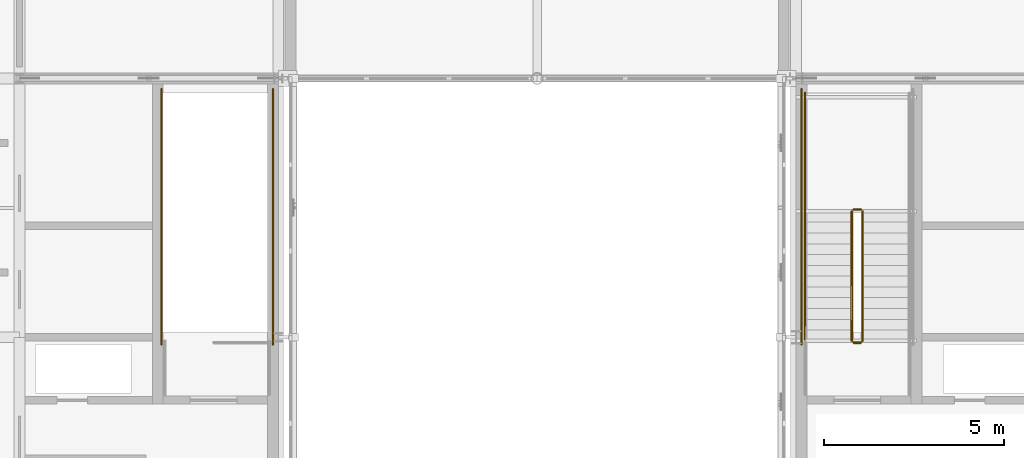
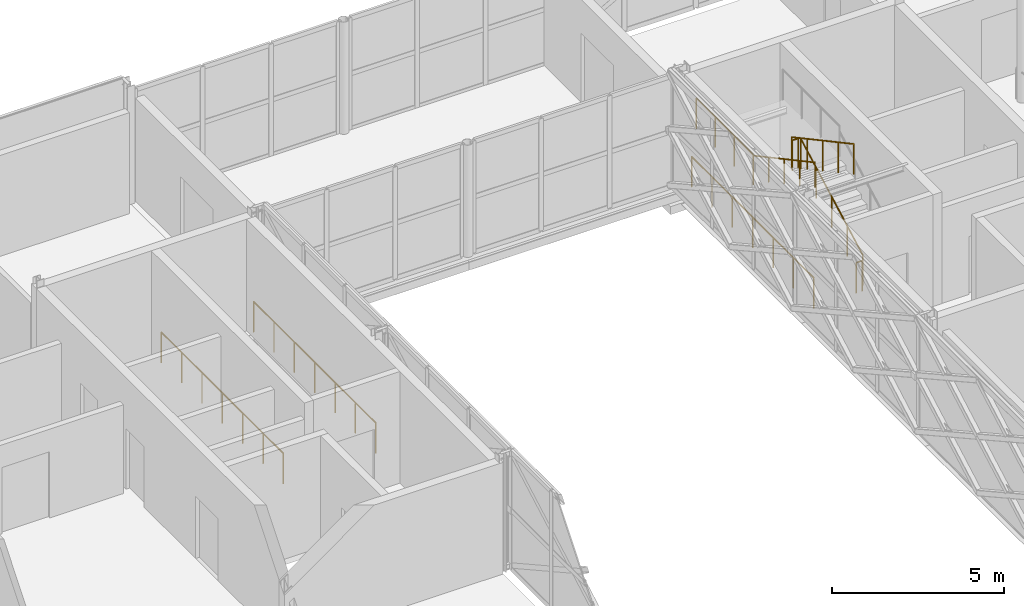
# One storey, part 117 of 126: 9 railings.
"""IFC4 building model written with IfcOpenShell, lengths in metres."""

from ifc_helpers import new_model, si_unit, direction, frame, origin, origin_2d, place, context, subcontext, project, spatial, circle, extrude, material, type_object, element, save


model = new_model("IFC4")

# Units and contexts
model_context = context("Model", 3, precision=1e-05, world=origin(), true_north=direction((0.0, 1.0)))
body_context = subcontext(model_context, "Body", "Model", "MODEL_VIEW")
ifc_project = project(units=[si_unit("LENGTHUNIT", "METRE"), si_unit("AREAUNIT", "SQUARE_METRE"), si_unit("VOLUMEUNIT", "CUBIC_METRE"), si_unit("PLANEANGLEUNIT", "RADIAN"), si_unit("MASSUNIT", "GRAM", prefix="KILO")], contexts=[model_context])

# Site, building, storey
site_placement = place(None, origin())
site = spatial("IfcSite", under=ifc_project, at=site_placement, CompositionType="ELEMENT")
building_placement = place(site_placement, origin())
building = spatial("IfcBuilding", under=site, at=building_placement, Name="Zlatovets Crest Museum", CompositionType="ELEMENT")
storey_placement = place(building_placement, frame((0.0, 0.0, 8.699951171875)))
storey = spatial("IfcBuildingStorey", under=building, at=storey_placement, Name="L02", CompositionType="ELEMENT", Elevation=8.699951171875)

# Railings
ifc_material_1 = material(Name="Painted steel safety guardrail", Category="steel")
railing_type_1 = type_object("IfcRailingType", Name="StairGuard_SG01", PredefinedType="GUARDRAIL", material=ifc_material_1)
railing_1_placement = place(storey_placement, frame((59.449951171875, 14.300048828125, 0.16162109375)))
element("IfcRailing", 1, at=railing_1_placement, inside=storey, type_object=railing_type_1, Name="L02 ST2 stair guard 1", PredefinedType="GUARDRAIL", context=body_context, shape_type="SweptSolid", body=[
    extrude(circle(Radius=0.02392578125, at=origin_2d()), frame((0.0, 0.0, 1.076171875), z_axis=(0.0, 0.880461512865, 0.474117627138), x_axis=(-1.0, 0.0, 0.0)), (0.0, 0.0, 1.0), 4.088623046875),
    extrude(circle(Radius=0.02099609375, at=origin_2d()), origin(), (0.0, 0.0, 1.0), 1.052001953125),
    extrude(circle(Radius=0.02099609375, at=origin_2d()), frame((0.0, 0.89990234375, 0.484619140625)), (0.0, 0.0, 1.0), 1.052001953125),
    extrude(circle(Radius=0.02099609375, at=origin_2d()), frame((0.0, 1.7998046875, 0.96923828125)), (0.0, 0.0, 1.0), 1.052001953125),
    extrude(circle(Radius=0.02099609375, at=origin_2d()), frame((0.0, 2.699951171875, 1.453857421875)), (0.0, 0.0, 1.0), 1.052001953125),
    extrude(circle(Radius=0.02099609375, at=origin_2d()), frame((0.0, 3.599853515625, 1.9384765625)), (0.0, 0.0, 1.0), 1.052001953125),
])
railing_2_placement = place(storey_placement, frame((59.39990234375, 17.949951171875, 2.10009765625)))
element("IfcRailing", 2, at=railing_2_placement, inside=storey, type_object=railing_type_1, Name="L02 ST2 stair guard 2", PredefinedType="GUARDRAIL", context=body_context, shape_type="SweptSolid", body=[
    extrude(circle(Radius=0.02392578125, at=origin_2d()), frame((0.0, 0.0, 1.076171875), z_axis=(-1.0, 0.0, 0.0), x_axis=(0.0, -1.0, 0.0)), (0.0, 0.0, 1.0), 0.199951171875),
    extrude(circle(Radius=0.02099609375, at=origin_2d()), origin(), (0.0, 0.0, 1.0), 1.052001953125),
    extrude(circle(Radius=0.02099609375, at=origin_2d()), frame((-0.199951171875, 0.0, 0.0)), (0.0, 0.0, 1.0), 1.052001953125),
])
railing_3_placement = place(storey_placement, frame((57.85009765625, 17.89990234375, 2.10009765625)))
element("IfcRailing", 3, at=railing_3_placement, inside=storey, type_object=railing_type_1, Name="L02 ST2 stair guard 4", PredefinedType="GUARDRAIL", context=body_context, shape_type="SweptSolid", body=[
    extrude(circle(Radius=0.02392578125, at=origin_2d()), frame((0.0, 0.0, 1.076171875), z_axis=(0.0, 1.0, 0.0), x_axis=(-1.0, 0.0, 0.0)), (0.0, 0.0, 1.0), 3.300048828125),
    extrude(circle(Radius=0.02099609375, at=origin_2d()), origin(), (0.0, 0.0, 1.0), 1.052001953125),
    extrude(circle(Radius=0.02099609375, at=origin_2d()), frame((0.0, 1.10009765625, 0.0)), (0.0, 0.0, 1.0), 1.052001953125),
    extrude(circle(Radius=0.02099609375, at=origin_2d()), frame((0.0, 2.199951171875, 0.0)), (0.0, 0.0, 1.0), 1.052001953125),
    extrude(circle(Radius=0.02099609375, at=origin_2d()), frame((0.0, 3.300048828125, 0.0)), (0.0, 0.0, 1.0), 1.052001953125),
])
railing_4_placement = place(storey_placement, frame((59.14990234375, 17.89990234375, 2.261474609375)))
element("IfcRailing", 4, at=railing_4_placement, inside=storey, type_object=railing_type_1, Name="L02 ST2 stair guard 5", PredefinedType="GUARDRAIL", context=body_context, shape_type="SweptSolid", body=[
    extrude(circle(Radius=0.02392578125, at=origin_2d()), frame((0.0, 0.0, 1.076171875), z_axis=(0.0, -0.880461512865, 0.474117627138), x_axis=(1.0, 0.0, 0.0)), (0.0, 0.0, 1.0), 4.088623046875),
    extrude(circle(Radius=0.02099609375, at=origin_2d()), origin(), (0.0, 0.0, 1.0), 1.052001953125),
    extrude(circle(Radius=0.02099609375, at=origin_2d()), frame((0.0, -0.89990234375, 0.484619140625)), (0.0, 0.0, 1.0), 1.052001953125),
    extrude(circle(Radius=0.02099609375, at=origin_2d()), frame((0.0, -1.7998046875, 0.96923828125)), (0.0, 0.0, 1.0), 1.052001953125),
    extrude(circle(Radius=0.02099609375, at=origin_2d()), frame((0.0, -2.699951171875, 1.453857421875)), (0.0, 0.0, 1.0), 1.052001953125),
    extrude(circle(Radius=0.02099609375, at=origin_2d()), frame((0.0, -3.599853515625, 1.9384765625)), (0.0, 0.0, 1.0), 1.052001953125),
])
railing_5_placement = place(storey_placement, frame((59.39990234375, 14.25, 0.0)))
element("IfcRailing", 5, at=railing_5_placement, inside=storey, type_object=railing_type_1, Name="L02 ST2 stair guard 6", PredefinedType="GUARDRAIL", context=body_context, shape_type="SweptSolid", body=[
    extrude(circle(Radius=0.02392578125, at=origin_2d()), frame((0.0, 0.0, 1.076171875), z_axis=(-1.0, 0.0, 0.0), x_axis=(0.0, -1.0, 0.0)), (0.0, 0.0, 1.0), 0.199951171875),
    extrude(circle(Radius=0.02099609375, at=origin_2d()), origin(), (0.0, 0.0, 1.0), 1.052001953125),
    extrude(circle(Radius=0.02099609375, at=origin_2d()), frame((-0.199951171875, 0.0, 0.0)), (0.0, 0.0, 1.0), 1.052001953125),
])
for number, where, name in (
    (6, (57.75, 14.199951171875, 0.0), "L02 ST2 stair guard 10"),
    (7, (43.050048828125, 14.199951171875, 0.0), "L02 ST3 top well guard 2"),
    (8, (39.949951171875, 14.199951171875, 0.0), "L02 ST3 top well guard 3"),
):
    element("IfcRailing", number, at=place(storey_placement, frame(where)), inside=storey, type_object=railing_type_1, Name=name, PredefinedType="GUARDRAIL", context=body_context, shape_type="SweptSolid", body=[
        extrude(circle(Radius=0.02392578125, at=origin_2d()), frame((0.0, 0.0, 1.076171875), z_axis=(0.0, 1.0, 0.0), x_axis=(-1.0, 0.0, 0.0)), (0.0, 0.0, 1.0), 7.10009765625),
        extrude(circle(Radius=0.02099609375, at=origin_2d()), origin(), (0.0, 0.0, 1.0), 1.052001953125),
        extrude(circle(Radius=0.02099609375, at=origin_2d()), frame((0.0, 1.183349609375, 0.0)), (0.0, 0.0, 1.0), 1.052001953125),
        extrude(circle(Radius=0.02099609375, at=origin_2d()), frame((0.0, 2.36669921875, 0.0)), (0.0, 0.0, 1.0), 1.052001953125),
        extrude(circle(Radius=0.02099609375, at=origin_2d()), frame((0.0, 3.550048828125, 0.0)), (0.0, 0.0, 1.0), 1.052001953125),
        extrude(circle(Radius=0.02099609375, at=origin_2d()), frame((0.0, 4.7333984375, 0.0)), (0.0, 0.0, 1.0), 1.052001953125),
        extrude(circle(Radius=0.02099609375, at=origin_2d()), frame((0.0, 5.916748046875, 0.0)), (0.0, 0.0, 1.0), 1.052001953125),
        extrude(circle(Radius=0.02099609375, at=origin_2d()), frame((0.0, 7.10009765625, 0.0)), (0.0, 0.0, 1.0), 1.052001953125),
    ])
ifc_material_2 = material(Name="Brushed bronze stair handrail")
railing_type_2 = type_object("IfcRailingType", Name="StairHandrail_SH01", PredefinedType="HANDRAIL", material=ifc_material_2)
railing_6_placement = place(storey_placement, frame((57.85009765625, 17.89990234375, 2.261474609375)))
element("IfcRailing", 9, at=railing_6_placement, inside=storey, type_object=railing_type_2, Name="L02 ST2 stair handrail 2", PredefinedType="HANDRAIL", context=body_context, shape_type="SweptSolid", body=[
    extrude(circle(Radius=0.02392578125, at=origin_2d()), frame((0.0, 0.0, 0.8759765625), z_axis=(0.0, -0.880461512865, 0.474117627138), x_axis=(1.0, 0.0, 0.0)), (0.0, 0.0, 1.0), 4.088623046875),
    extrude(circle(Radius=0.02099609375, at=origin_2d()), origin(), (0.0, 0.0, 1.0), 0.851806640625),
    extrude(circle(Radius=0.02099609375, at=origin_2d()), frame((0.0, -0.89990234375, 0.484619140625)), (0.0, 0.0, 1.0), 0.851806640625),
    extrude(circle(Radius=0.02099609375, at=origin_2d()), frame((0.0, -1.7998046875, 0.96923828125)), (0.0, 0.0, 1.0), 0.851806640625),
    extrude(circle(Radius=0.02099609375, at=origin_2d()), frame((0.0, -2.699951171875, 1.453857421875)), (0.0, 0.0, 1.0), 0.851806640625),
    extrude(circle(Radius=0.02099609375, at=origin_2d()), frame((0.0, -3.599853515625, 1.9384765625)), (0.0, 0.0, 1.0), 0.851806640625),
])

save(model, "model.ifc")
